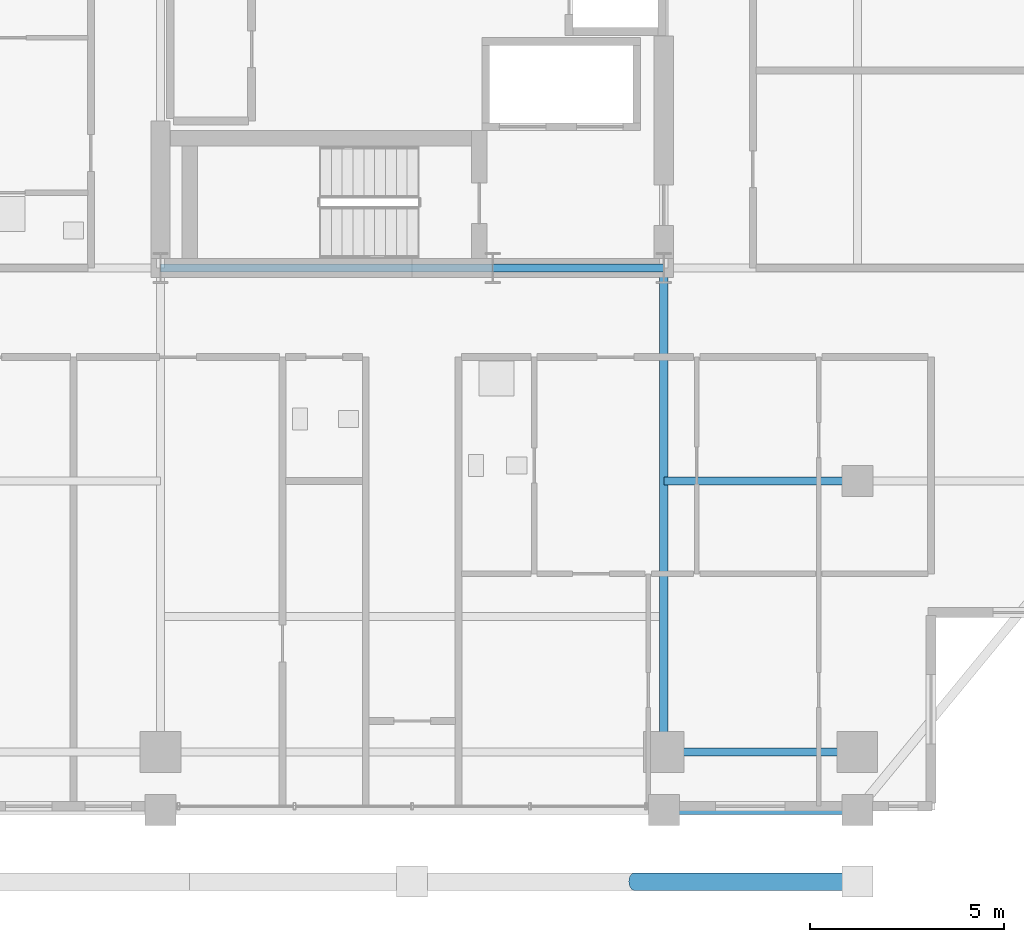
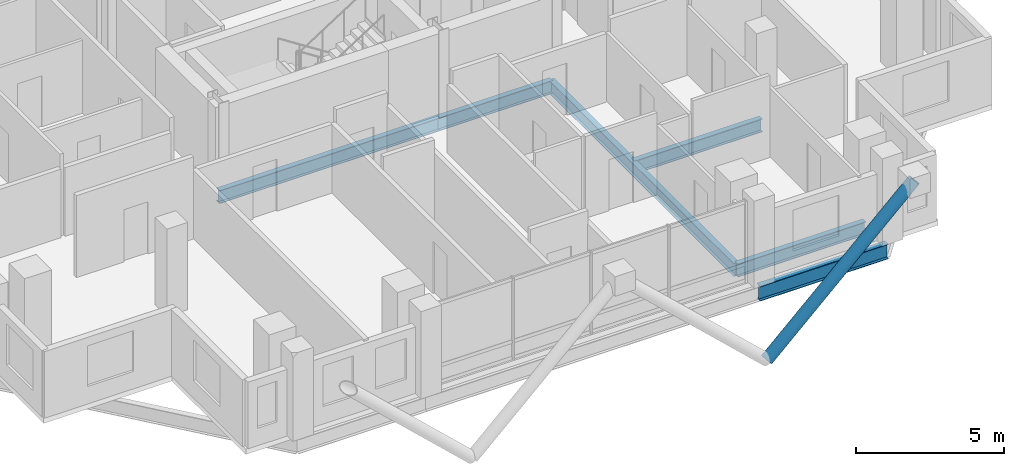
# One storey, part 5 of 24: 6 beams, 1 member.
"""IFC4 building model written with IfcOpenShell, lengths in metres."""

from ifc_helpers import new_model, si_unit, direction, frame, origin, origin_2d, place, context, subcontext, project, spatial, hollow_circle, i_section, extrude, material, material_profile, profile_set, type_object, element, save


model = new_model("IFC4")

# Units and contexts
model_context = context("Model", 3, precision=1e-05, world=origin(), true_north=direction((0.0, 1.0)))
body_context = subcontext(model_context, "Body", "Model", "MODEL_VIEW")
ifc_project = project(units=[si_unit("LENGTHUNIT", "METRE"), si_unit("AREAUNIT", "SQUARE_METRE"), si_unit("VOLUMEUNIT", "CUBIC_METRE"), si_unit("PLANEANGLEUNIT", "RADIAN"), si_unit("MASSUNIT", "GRAM", prefix="KILO")], contexts=[model_context])

# Site, building, storey
site_placement = place(None, origin())
site = spatial("IfcSite", under=ifc_project, at=site_placement, CompositionType="ELEMENT")
building_placement = place(site_placement, origin())
building = spatial("IfcBuilding", under=site, at=building_placement, Name="Barlavira Tower and Art Museum", CompositionType="ELEMENT")
storey_placement = place(building_placement, frame((0.0, 0.0, 183.60009765625)))
storey = spatial("IfcBuildingStorey", under=building, at=storey_placement, Name="L47", CompositionType="ELEMENT", Elevation=183.60009765625)

# Member
ifc_material = material(Name="Steel S355", Category="steel")
ifc_material_profile_1 = material_profile(ifc_material, hollow_circle(Radius=0.228515625, WallThickness=0.02001953125, at=origin_2d()), Name="CHS 457.0x20.0")
ifc_profile_set_1 = profile_set([ifc_material_profile_1], Name="Steel S355")
member_type = type_object("IfcMemberType", Name="Pale-Metal Exoskeleton Diagrid Tube CHS 457x20 Steel S355", PredefinedType="BRACE", material=ifc_profile_set_1)
member_placement = place(storey_placement, frame((5.75, -23.35009765625, -1.920166015625), z_axis=(0.728934650808, 0.0, 0.684583285548), x_axis=(0.0, 1.0, 0.0)))
element("IfcMember", 1, at=member_placement, inside=storey, type_object=member_type, Name="L47 Exoskeleton Diagrid Tube S", PredefinedType="BRACE", context=body_context, shape_type="SweptSolid", body=[
    extrude(hollow_circle(Radius=0.228515625, WallThickness=0.02001953125, at=origin_2d()), origin(), (0.0, 0.0, 1.0), 7.88818359375),
])

# Beams
ifc_material_profile_2 = material_profile(ifc_material, i_section(OverallWidth=0.22998046875, OverallDepth=0.616943359375, WebThickness=0.01318359375, FlangeThickness=0.022216796875, at=origin_2d()), Name="W610x140.0")
ifc_profile_set_2 = profile_set([ifc_material_profile_2], Name="Steel S355")
beam_type_1 = type_object("IfcBeamType", Name="Upper Shaft Spandrel Edge Beam W610x140 Steel S355", PredefinedType="SPANDREL", material=ifc_profile_set_2)
beam_1_placement = place(storey_placement, frame((6.5, -21.5, -0.528564453125), z_axis=(1.0, 0.0, 0.0), x_axis=(0.0, 1.0, 0.0)))
element("IfcBeam", 2, at=beam_1_placement, inside=storey, type_object=beam_type_1, Name="L47 Spandrel 3", PredefinedType="SPANDREL", context=body_context, shape_type="SweptSolid", body=[
    extrude(i_section(OverallWidth=0.22998046875, OverallDepth=0.616943359375, WebThickness=0.01318359375, FlangeThickness=0.022216796875, at=origin_2d()), origin(), (0.0, 0.0, 1.0), 5.0),
])
ifc_material_profile_3 = material_profile(ifc_material, i_section(OverallWidth=0.2109375, OverallDepth=0.5390625, WebThickness=0.01171875, FlangeThickness=0.018798828125, at=origin_2d()), Name="W530x109.0")
ifc_profile_set_3 = profile_set([ifc_material_profile_3], Name="Steel S355")
beam_type_2 = type_object("IfcBeamType", Name="Zone 3-4 Primary Floor Girder W530x109 Steel S355", PredefinedType="BEAM", material=ifc_profile_set_3)
beam_2_placement = place(storey_placement, frame((-6.5, -7.5, -0.489501953125), z_axis=(1.0, 0.0, 0.0), x_axis=(0.0, 1.0, 0.0)))
element("IfcBeam", 3, at=beam_2_placement, inside=storey, type_object=beam_type_2, Name="L47 Girder C-S1", PredefinedType="BEAM", context=body_context, shape_type="SweptSolid", body=[
    extrude(i_section(OverallWidth=0.2109375, OverallDepth=0.5390625, WebThickness=0.01171875, FlangeThickness=0.018798828125, at=origin_2d()), origin(), (0.0, 0.0, 1.0), 8.580078125),
])
beam_3_placement = place(storey_placement, frame((2.080078125, -7.5, -0.489501953125), z_axis=(1.0, 0.0, 0.0), x_axis=(0.0, 1.0, 0.0)))
element("IfcBeam", 4, at=beam_3_placement, inside=storey, type_object=beam_type_2, Name="L47 Girder C-S2", PredefinedType="BEAM", context=body_context, shape_type="SweptSolid", body=[
    extrude(i_section(OverallWidth=0.2109375, OverallDepth=0.5390625, WebThickness=0.01171875, FlangeThickness=0.018798828125, at=origin_2d()), origin(), (0.0, 0.0, 1.0), 4.419921875),
])
beam_4_placement = place(storey_placement, frame((6.5, -20.0, -0.489501953125), z_axis=(1.0, 0.0, 0.0), x_axis=(0.0, 1.0, 0.0)))
element("IfcBeam", 5, at=beam_4_placement, inside=storey, type_object=beam_type_2, Name="L47 Girder M-S3", PredefinedType="BEAM", context=body_context, shape_type="SweptSolid", body=[
    extrude(i_section(OverallWidth=0.2109375, OverallDepth=0.5390625, WebThickness=0.01171875, FlangeThickness=0.018798828125, at=origin_2d()), origin(), (0.0, 0.0, 1.0), 5.0),
])
beam_5_placement = place(storey_placement, frame((6.5, -20.0, -0.489501953125), z_axis=(0.0, 1.0, 0.0), x_axis=(-1.0, 0.0, 0.0)))
element("IfcBeam", 6, at=beam_5_placement, inside=storey, type_object=beam_type_2, Name="L47 Girder R-S2", PredefinedType="BEAM", context=body_context, shape_type="SweptSolid", body=[
    extrude(i_section(OverallWidth=0.2109375, OverallDepth=0.5390625, WebThickness=0.01171875, FlangeThickness=0.018798828125, at=origin_2d()), origin(), (0.0, 0.0, 1.0), 12.5),
])
beam_6_placement = place(storey_placement, frame((6.5, -13.0, -0.489501953125), z_axis=(1.0, 0.0, 0.0), x_axis=(0.0, 1.0, 0.0)))
element("IfcBeam", 7, at=beam_6_placement, inside=storey, type_object=beam_type_2, Name="L47 Girder I-S3", PredefinedType="BEAM", context=body_context, shape_type="SweptSolid", body=[
    extrude(i_section(OverallWidth=0.2109375, OverallDepth=0.5390625, WebThickness=0.01171875, FlangeThickness=0.018798828125, at=origin_2d()), origin(), (0.0, 0.0, 1.0), 5.0),
])

save(model, "model.ifc")
